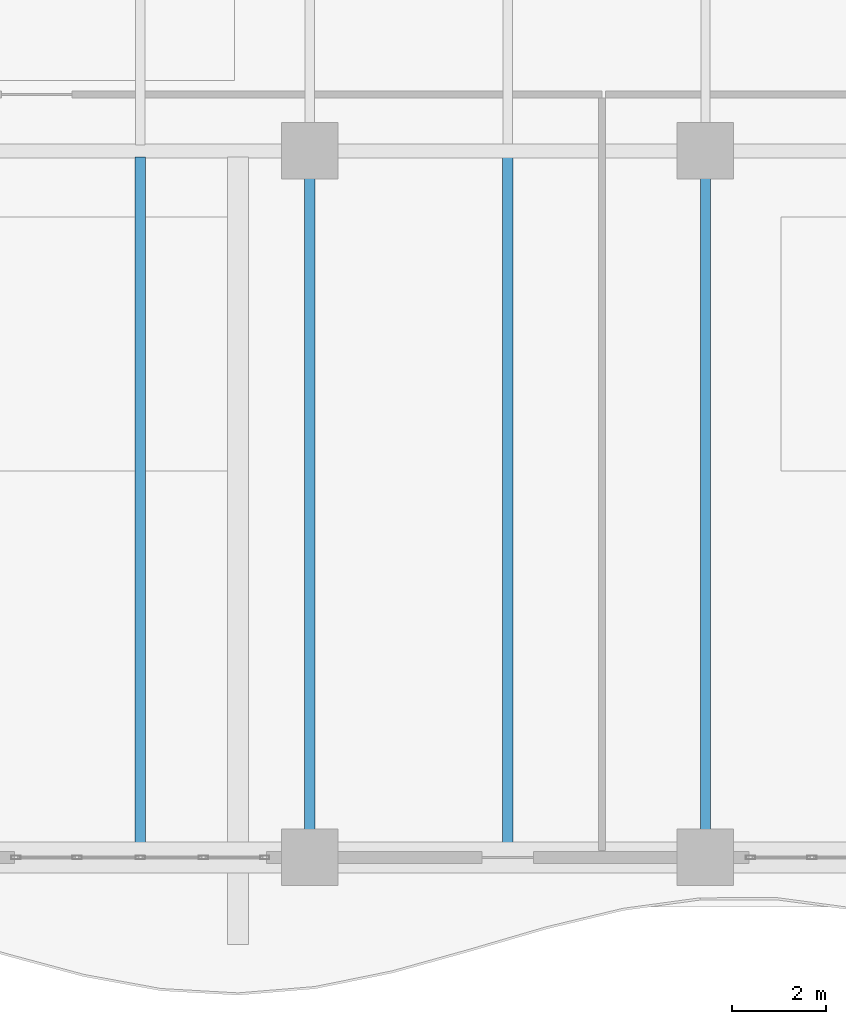
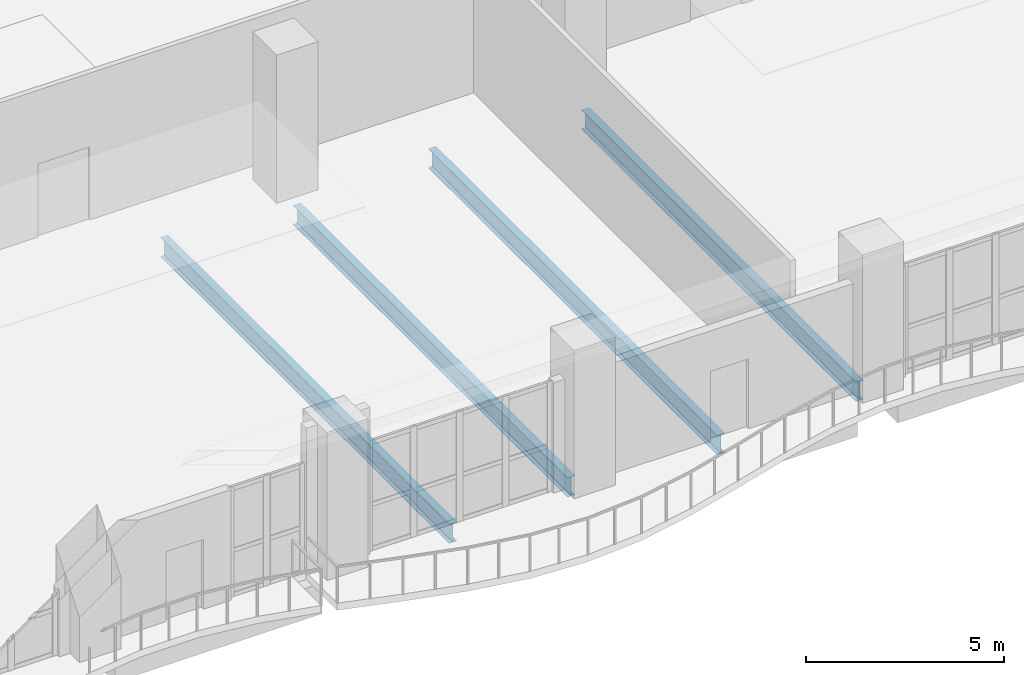
# One storey, part 13 of 37: 4 beams.
"""IFC4 building model written with IfcOpenShell, lengths in metres."""

from ifc_helpers import new_model, si_unit, direction, frame, origin, origin_2d, place, context, subcontext, project, spatial, i_section, extrude, material, material_profile, profile_set, type_object, element, save


model = new_model("IFC4")

# Units and contexts
model_context = context("Model", 3, precision=1e-05, world=origin(), true_north=direction((0.0, 1.0)))
body_context = subcontext(model_context, "Body", "Model", "MODEL_VIEW")
ifc_project = project(units=[si_unit("LENGTHUNIT", "METRE"), si_unit("AREAUNIT", "SQUARE_METRE"), si_unit("VOLUMEUNIT", "CUBIC_METRE"), si_unit("PLANEANGLEUNIT", "RADIAN"), si_unit("MASSUNIT", "GRAM", prefix="KILO")], contexts=[model_context])

# Site, building, storey
site_placement = place(None, origin())
site = spatial("IfcSite", under=ifc_project, at=site_placement, CompositionType="ELEMENT")
building_placement = place(site_placement, origin())
building = spatial("IfcBuilding", under=site, at=building_placement, Name="Kaelvorn Grand Hotel", CompositionType="ELEMENT")
storey_placement = place(building_placement, frame((0.0, 0.0, 130.550048828125)))
storey = spatial("IfcBuildingStorey", under=building, at=storey_placement, Name="L31", CompositionType="ELEMENT", Elevation=130.550048828125)

# Beams
ifc_material = material(Name="Steel S355", Category="steel")
ifc_material_profile = material_profile(ifc_material, i_section(OverallWidth=0.219970703125, OverallDepth=0.60009765625, WebThickness=0.011962890625, FlangeThickness=0.01904296875, FilletRadius=0.02392578125, at=origin_2d()), Name="IPE 600")
ifc_profile_set = profile_set([ifc_material_profile], Name="Steel S355")
beam_type = type_object("IfcBeamType", Name="BM-J-IPE600-S355", PredefinedType="JOIST", material=ifc_profile_set)
beam_1_placement = place(storey_placement, frame((34.199951171875, 0.31005859375, -0.5400390625), z_axis=(0.0, 1.0, 0.0), x_axis=(-1.0, 0.0, 0.0)))
element("IfcBeam", 1, at=beam_1_placement, inside=storey, type_object=beam_type, Name="L31 Composite Floor Joist JS-10", PredefinedType="JOIST", context=body_context, shape_type="SweptSolid", body=[
    extrude(i_section(OverallWidth=0.219970703125, OverallDepth=0.60009765625, WebThickness=0.011962890625, FlangeThickness=0.01904296875, FilletRadius=0.02392578125, at=origin_2d()), origin(), (0.0, 0.0, 1.0), 14.558837890625),
])
beam_2_placement = place(storey_placement, frame((37.800048828125, 0.5849609375, -0.5400390625), z_axis=(0.0, 1.0, 0.0), x_axis=(-1.0, 0.0, 0.0)))
element("IfcBeam", 2, at=beam_2_placement, inside=storey, type_object=beam_type, Name="L31 Composite Floor Joist JS-11", PredefinedType="JOIST", context=body_context, shape_type="SweptSolid", body=[
    extrude(i_section(OverallWidth=0.219970703125, OverallDepth=0.60009765625, WebThickness=0.011962890625, FlangeThickness=0.01904296875, FilletRadius=0.02392578125, at=origin_2d()), origin(), (0.0, 0.0, 1.0), 13.830078125),
])
beam_3_placement = place(storey_placement, frame((42.0, 0.31005859375, -0.5400390625), z_axis=(0.0, 1.0, 0.0), x_axis=(-1.0, 0.0, 0.0)))
element("IfcBeam", 3, at=beam_3_placement, inside=storey, type_object=beam_type, Name="L31 Composite Floor Joist JS-12", PredefinedType="JOIST", context=body_context, shape_type="SweptSolid", body=[
    extrude(i_section(OverallWidth=0.219970703125, OverallDepth=0.60009765625, WebThickness=0.011962890625, FlangeThickness=0.01904296875, FilletRadius=0.02392578125, at=origin_2d()), origin(), (0.0, 0.0, 1.0), 14.558837890625),
])
beam_4_placement = place(storey_placement, frame((46.199951171875, 0.5849609375, -0.5400390625), z_axis=(0.0, 1.0, 0.0), x_axis=(-1.0, 0.0, 0.0)))
element("IfcBeam", 4, at=beam_4_placement, inside=storey, type_object=beam_type, Name="L31 Composite Floor Joist JS-13", PredefinedType="JOIST", context=body_context, shape_type="SweptSolid", body=[
    extrude(i_section(OverallWidth=0.219970703125, OverallDepth=0.60009765625, WebThickness=0.011962890625, FlangeThickness=0.01904296875, FilletRadius=0.02392578125, at=origin_2d()), origin(), (0.0, 0.0, 1.0), 13.830078125),
])

save(model, "model.ifc")
